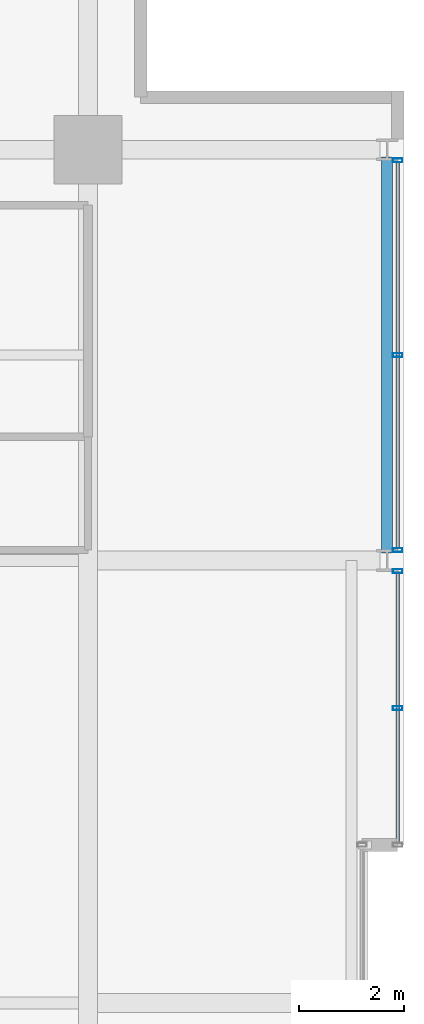
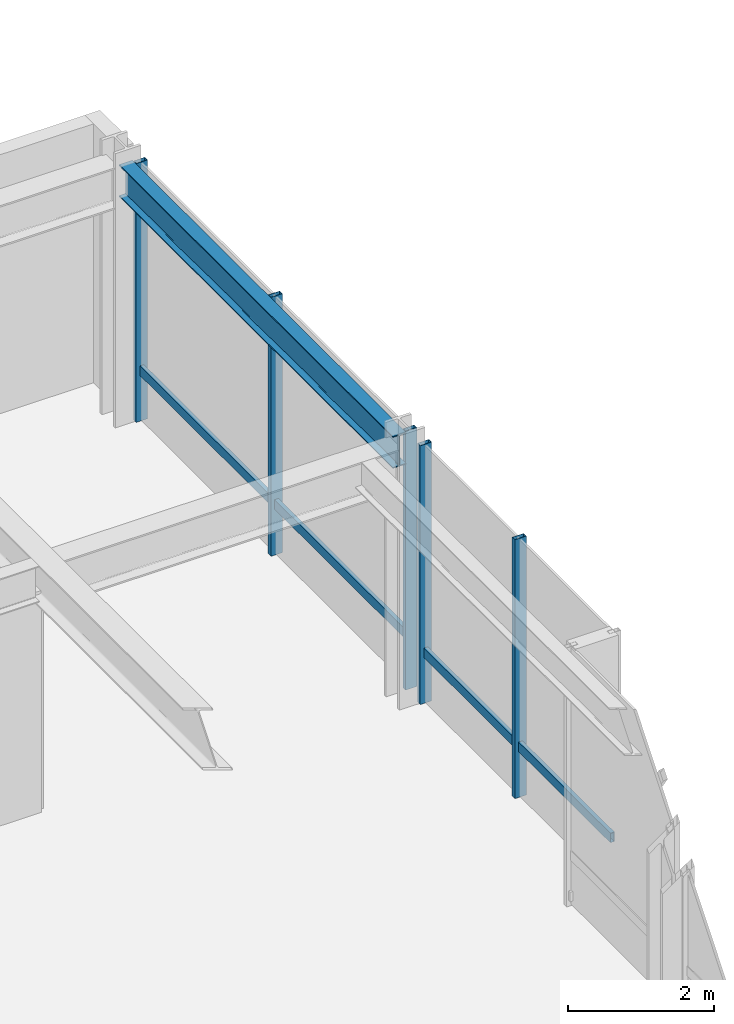
# One storey, part 24 of 32: 7 members, 1 beam, 2 elements without a shape of their own.
"""IFC4 building model written with IfcOpenShell, lengths in metres."""

import ifcopenshell
import ifcopenshell.guid

model = None  # the IFC model being written
_history = None  # IfcOwnerHistory: only IFC2X3 demands one
_inside = {}  # id of a spatial element -> (the spatial element, [elements in it])
_under = {}  # id of a project, library or spatial element -> (it, [spatial elements below it])
_declared = {}  # id of a project -> (the project, [libraries it declares])
_typed = {}  # id of a type object -> (the type object, [elements of that type])
_made_of = {}  # id of a material, layer set ... -> (it, [elements and type objects made of it])


def new_model(schema):
    """Start an empty IFC model of exactly this schema.

    Asked for "IFC4X3", IfcOpenShell would pick the latest addendum, in which some entities
    have other attributes; the version numbers below select the first issue.
    IFC2X3 requires an IfcOwnerHistory on every rooted entity: one is made here for all.
    """
    global model, _history
    if schema == "IFC4X3":
        model = ifcopenshell.file(schema_version=(4, 3, 0, 0))
    else:
        model = ifcopenshell.file(schema=schema)
    _inside.clear()
    _under.clear()
    _declared.clear()
    _typed.clear()
    _made_of.clear()
    _history = None
    if model.schema == "IFC2X3":
        org = make("IfcOrganization", Name="unknown")
        user = make(
            "IfcPersonAndOrganization",
            ThePerson=make("IfcPerson", FamilyName="unknown"),
            TheOrganization=org,
        )
        app = make(
            "IfcApplication",
            ApplicationDeveloper=org,
            Version="unknown",
            ApplicationFullName="unknown",
            ApplicationIdentifier="unknown",
        )
        _history = make(
            "IfcOwnerHistory",
            OwningUser=user,
            OwningApplication=app,
            ChangeAction="ADDED",
            CreationDate=0,
        )
    return model


def make(cls, **values):
    """One entity of the class cls with the attributes given. An attribute that is None is left unset."""
    return model.create_entity(
        cls, **{name: value for name, value in values.items() if value is not None}
    )


def rooted(cls, **values):
    """An entity with a GlobalId (a new one), such as an element, a storey or a relation."""
    return make(cls, GlobalId=ifcopenshell.guid.new(), OwnerHistory=_history, **values)


def si_unit(unit_type, name, prefix=None):
    """IfcSIUnit, for example si_unit("LENGTHUNIT", "METRE", prefix="MILLI")."""
    return make("IfcSIUnit", UnitType=unit_type, Prefix=prefix, Name=name)


def assignment(units):
    """IfcUnitAssignment: the units of a project."""
    return None if units is None else make("IfcUnitAssignment", Units=units)


def point(xyz):
    """IfcCartesianPoint."""
    return None if xyz is None else make("IfcCartesianPoint", Coordinates=xyz)


def direction(xyz):
    """IfcDirection."""
    return None if xyz is None else make("IfcDirection", DirectionRatios=xyz)


def frame(location, z_axis=None, x_axis=None):
    """IfcAxis2Placement3D, a coordinate frame: its origin and axes. An axis left out is left unset."""
    return make(
        "IfcAxis2Placement3D",
        Location=point(location),
        Axis=direction(z_axis),
        RefDirection=direction(x_axis),
    )


def frame_2d(location, x_axis=None):
    """IfcAxis2Placement2D, a coordinate frame in the plane: its origin and x axis."""
    return make(
        "IfcAxis2Placement2D", Location=point(location), RefDirection=direction(x_axis)
    )


def origin():
    """The frame at (0, 0, 0) with its axes left unset."""
    return frame((0.0, 0.0, 0.0))


def origin_2d():
    """The frame at (0, 0) in the plane with its x axis left unset."""
    return frame_2d((0.0, 0.0))


def place(relative_to, where):
    """IfcLocalPlacement: puts the frame where relative to a parent placement (None: the world)."""
    return make(
        "IfcLocalPlacement", PlacementRelTo=relative_to, RelativePlacement=where
    )


def context(
    kind, dimensions, precision=None, world=None, true_north=None, identifier=None
):
    """IfcGeometricRepresentationContext, for example the 3D "Model" context."""
    return make(
        "IfcGeometricRepresentationContext",
        ContextIdentifier=identifier,
        ContextType=kind,
        CoordinateSpaceDimension=dimensions,
        Precision=precision,
        WorldCoordinateSystem=world,
        TrueNorth=true_north,
    )


def subcontext(parent, identifier, kind, view, scale=None):
    """IfcGeometricRepresentationSubContext, for example "Body" below "Model"."""
    return make(
        "IfcGeometricRepresentationSubContext",
        ContextIdentifier=identifier,
        ContextType=kind,
        ParentContext=parent,
        TargetScale=scale,
        TargetView=view,
    )


def project(units=None, contexts=None):
    """IfcProject with its units and contexts."""
    return rooted(
        "IfcProject",
        Name="project",
        RepresentationContexts=contexts,
        UnitsInContext=assignment(units),
    )


def spatial(cls, under=None, at=None, **own):
    """A site, building, storey or space (cls), placed at a placement, below another one or the project."""
    s = rooted(cls, ObjectPlacement=at, **own)
    if under is not None:
        _under.setdefault(under.id(), (under, []))[1].append(s)
    return s


def profile(cls, at=None, kind="AREA", **sizes):
    """A parametric profile (cls). Its sizes go by their IFC names, for example OverallWidth=200.0."""
    return make(cls, ProfileType=kind, Position=at, **sizes)


def hollow_rectangle(**sizes):
    """IfcRectangleHollowProfileDef."""
    return profile("IfcRectangleHollowProfileDef", **sizes)


def i_section(**sizes):
    """IfcIShapeProfileDef."""
    return profile("IfcIShapeProfileDef", **sizes)


def extrude(swept, where, along, depth):
    """IfcExtrudedAreaSolid: the profile swept, set in the frame where, extruded along a direction by depth."""
    return make(
        "IfcExtrudedAreaSolid",
        SweptArea=swept,
        Position=where,
        ExtrudedDirection=direction(along),
        Depth=depth,
    )


def shape(context_of_items, identifier, shape_type, items):
    """IfcShapeRepresentation: the items that make up one representation, for example the "Body"."""
    return make(
        "IfcShapeRepresentation",
        ContextOfItems=context_of_items,
        RepresentationIdentifier=identifier,
        RepresentationType=shape_type,
        Items=items,
    )


def material(Name=None, Category=None):
    """IfcMaterial."""
    return make("IfcMaterial", Name=Name, Category=Category)


def layer(
    of_material, thickness, ventilated=None, Name=None, Category=None, Priority=None
):
    """IfcMaterialLayer: one layer of a wall or slab, of a material (None: an air gap)."""
    return make(
        "IfcMaterialLayer",
        Material=of_material,
        LayerThickness=thickness,
        IsVentilated=ventilated,
        Name=Name,
        Category=Category,
        Priority=Priority,
    )


def layer_set(layers, Name=None):
    """IfcMaterialLayerSet."""
    return make("IfcMaterialLayerSet", MaterialLayers=layers, LayerSetName=Name)


def material_profile(
    of_material, cross_section, Name=None, Category=None, Priority=None
):
    """IfcMaterialProfile: a cross section and its material."""
    return make(
        "IfcMaterialProfile",
        Name=Name,
        Material=of_material,
        Profile=cross_section,
        Priority=Priority,
        Category=Category,
    )


def profile_set(profiles, Name=None, composite=None):
    """IfcMaterialProfileSet."""
    return make(
        "IfcMaterialProfileSet",
        Name=Name,
        MaterialProfiles=profiles,
        CompositeProfile=composite,
    )


def made_of(thing, what):
    """Note that an element or type object is made of a material, layer set ...; save() writes the relation."""
    if what is not None:
        _made_of.setdefault(what.id(), (what, []))[1].append(thing)
    return thing


def type_object(cls, material=None, **own):
    """A type object (cls), such as IfcWallType, which elements share."""
    return made_of(rooted(cls, **own), material)


def element(
    cls,
    number,
    at=None,
    inside=None,
    cuts=None,
    type_object=None,
    material=None,
    context=None,
    identifier="Body",
    shape_type=None,
    held_by="IfcProductDefinitionShape",
    body=None,
    shapes=None,
    **own,
):
    """One element of the class cls, such as IfcWall. Its Tag is "e" and its number.

    at: its placement. inside: the storey or other place that contains it. cuts: it is an
    opening in that element (IfcRelVoidsElement). A single representation is given by context,
    identifier, shape_type and body (its items); several are given by shapes. held_by: the class
    of the entity that holds the representations. save() writes the other relations.
    """
    e = rooted(cls, Tag="e%d" % number, ObjectPlacement=at, **own)
    if body is not None:
        shapes = [shape(context, identifier, shape_type, body)]
    if shapes is not None:
        e.Representation = make(held_by, Representations=shapes)
    if inside is not None:
        _inside.setdefault(inside.id(), (inside, []))[1].append(e)
    if cuts is not None:
        rooted(
            "IfcRelVoidsElement", RelatingBuildingElement=cuts, RelatedOpeningElement=e
        )
    if type_object is not None:
        _typed.setdefault(type_object.id(), (type_object, []))[1].append(e)
    return made_of(e, material)


def aggregate(whole, parts):
    """IfcRelAggregates: a whole, such as a stair, and the parts it consists of."""
    return rooted("IfcRelAggregates", RelatingObject=whole, RelatedObjects=parts)


def save(model, path):
    """Write the relations noted so far, then the file.

    IfcRelAggregates (storeys below a building ...), IfcRelContainedInSpatialStructure (elements
    in a storey), IfcRelDefinesByType, IfcRelAssociatesMaterial and IfcRelDeclares: one each for
    every whole, place, type object, material and project.
    """
    for whole, parts in _under.values():
        aggregate(whole, parts)
    for where, things in _inside.values():
        rooted(
            "IfcRelContainedInSpatialStructure",
            RelatedElements=things,
            RelatingStructure=where,
        )
    for kind, things in _typed.values():
        rooted("IfcRelDefinesByType", RelatedObjects=things, RelatingType=kind)
    for what, things in _made_of.values():
        rooted("IfcRelAssociatesMaterial", RelatedObjects=things, RelatingMaterial=what)
    for by, libraries in _declared.values():
        rooted("IfcRelDeclares", RelatingContext=by, RelatedDefinitions=libraries)
    model.write(path)


model = new_model("IFC4")

# Units and contexts
model_context = context("Model", 3, precision=1e-05, world=origin(), true_north=direction((0.0, 1.0)))
body_context = subcontext(model_context, "Body", "Model", "MODEL_VIEW")
ifc_project = project(units=[si_unit("LENGTHUNIT", "METRE"), si_unit("AREAUNIT", "SQUARE_METRE"), si_unit("VOLUMEUNIT", "CUBIC_METRE"), si_unit("PLANEANGLEUNIT", "RADIAN"), si_unit("MASSUNIT", "GRAM", prefix="KILO")], contexts=[model_context])

# Site, building, storey
site_placement = place(None, origin())
site = spatial("IfcSite", under=ifc_project, at=site_placement, CompositionType="ELEMENT")
building_placement = place(site_placement, origin())
building = spatial("IfcBuilding", under=site, at=building_placement, Name="Drelvath Grand Hotel", CompositionType="ELEMENT")
storey_placement = place(building_placement, frame((0.0, 0.0, 145.800048828125)))
storey = spatial("IfcBuildingStorey", under=building, at=storey_placement, Name="L37", CompositionType="ELEMENT", Elevation=145.800048828125)

# Curtain wall, member
ifc_material_1 = material(Name="Brushed Pale-Silver Anodised Aluminium Frame", Category="aluminium")
ifc_layer = layer(ifc_material_1, 0.199951171875)
ifc_layer_set = layer_set([ifc_layer], Name="Brushed Pale-Silver Anodised Aluminium Frame")
curtain_wall_type = type_object("IfcCurtainWallType", Name="Stick Curtain Wall CW-04 Brushed Silver Upper-Mid", PredefinedType="NOTDEFINED", material=ifc_layer_set)
curtain_wall_1_placement = place(storey_placement, origin())
curtain_wall_1 = element("IfcCurtainWall", 1, at=curtain_wall_1_placement, inside=storey, type_object=curtain_wall_type, Name="L37 CW-04 Curtain Wall CW04-L37-EN1", PredefinedType="NOTDEFINED")
ifc_material_profile_1 = material_profile(ifc_material_1, hollow_rectangle(XDim=0.06494140625, YDim=0.159912109375, WallThickness=0.00390625, at=origin_2d()), Name="HSS160X65X4")
ifc_profile_set_1 = profile_set([ifc_material_profile_1], Name="Brushed Pale-Silver Anodised Aluminium Frame")
member_type_1 = type_object("IfcMemberType", Name="Curtain Wall Horizontal Transom CW-04 HSS160X65X4", PredefinedType="USERDEFINED", material=ifc_profile_set_1)
member_1_placement = place(storey_placement, frame((22.080078125, 35.159912109375, 0.849853515625), z_axis=(0.0, -1.0, 0.0), x_axis=(1.0, 0.0, 0.0)))
member_1 = element("IfcMember", 2, at=member_1_placement, type_object=member_type_1, Name="CW04-L37-EN1 Sill Transom", ObjectType="TRANSOM", PredefinedType="USERDEFINED", context=body_context, shape_type="SweptSolid", body=[
    extrude(hollow_rectangle(XDim=0.06494140625, YDim=0.159912109375, WallThickness=0.00390625, at=origin_2d()), origin(), (0.0, 0.0, 1.0), 5.119873046875),
])

curtain_wall_2_placement = place(storey_placement, origin())
curtain_wall_2 = element("IfcCurtainWall", 3, at=curtain_wall_2_placement, inside=storey, type_object=curtain_wall_type, Name="L37 CW-04 Curtain Wall CW04-L37-EN2", PredefinedType="NOTDEFINED")
member_2_placement = place(storey_placement, frame((22.080078125, 42.9599609375, 0.849853515625), z_axis=(0.0, -1.0, 0.0), x_axis=(1.0, 0.0, 0.0)))
member_2 = element("IfcMember", 4, at=member_2_placement, type_object=member_type_1, Name="CW04-L37-EN2 Sill Transom", ObjectType="TRANSOM", PredefinedType="USERDEFINED", context=body_context, shape_type="SweptSolid", body=[
    extrude(hollow_rectangle(XDim=0.06494140625, YDim=0.159912109375, WallThickness=0.00390625, at=origin_2d()), origin(), (0.0, 0.0, 1.0), 7.320068359375),
])

# Member
ifc_material_profile_2 = material_profile(ifc_material_1, hollow_rectangle(XDim=0.074951171875, YDim=0.179931640625, WallThickness=0.0048828125, at=origin_2d()), Name="HSS180X75X5")
ifc_profile_set_2 = profile_set([ifc_material_profile_2], Name="Brushed Pale-Silver Anodised Aluminium Frame")
member_type_2 = type_object("IfcMemberType", Name="Curtain Wall Vertical Mullion CW-04 HSS180X75X5", PredefinedType="MULLION", material=ifc_profile_set_2)
member_3_placement = place(storey_placement, frame((22.080078125, 35.199951171875, 0.0), z_axis=(0.0, 0.0, 1.0), x_axis=(0.0, 1.0, 0.0)))
member_3 = element("IfcMember", 5, at=member_3_placement, type_object=member_type_2, Name="CW04-L37-EN1 Mullion 1", PredefinedType="MULLION", context=body_context, shape_type="SweptSolid", body=[
    extrude(hollow_rectangle(XDim=0.074951171875, YDim=0.179931640625, WallThickness=0.0048828125, at=origin_2d()), origin(), (0.0, 0.0, 1.0), 4.33984375),
])

member_4_placement = place(storey_placement, frame((22.080078125, 32.60009765625, 0.0), z_axis=(0.0, 0.0, 1.0), x_axis=(0.0, 1.0, 0.0)))
member_4 = element("IfcMember", 6, at=member_4_placement, type_object=member_type_2, Name="CW04-L37-EN1 Mullion 2", PredefinedType="MULLION", context=body_context, shape_type="SweptSolid", body=[
    extrude(hollow_rectangle(XDim=0.074951171875, YDim=0.179931640625, WallThickness=0.0048828125, at=origin_2d()), origin(), (0.0, 0.0, 1.0), 4.33984375),
])

aggregate(curtain_wall_1, [member_3, member_4, member_1])

member_5_placement = place(storey_placement, frame((22.080078125, 43.0, 0.0), z_axis=(0.0, 0.0, 1.0), x_axis=(0.0, 1.0, 0.0)))
member_5 = element("IfcMember", 7, at=member_5_placement, type_object=member_type_2, Name="CW04-L37-EN2 Mullion 1", PredefinedType="MULLION", context=body_context, shape_type="SweptSolid", body=[
    extrude(hollow_rectangle(XDim=0.074951171875, YDim=0.179931640625, WallThickness=0.0048828125, at=origin_2d()), origin(), (0.0, 0.0, 1.0), 4.33984375),
])

member_6_placement = place(storey_placement, frame((22.080078125, 39.300048828125, 0.0), z_axis=(0.0, 0.0, 1.0), x_axis=(0.0, 1.0, 0.0)))
member_6 = element("IfcMember", 8, at=member_6_placement, type_object=member_type_2, Name="CW04-L37-EN2 Mullion 2", PredefinedType="MULLION", context=body_context, shape_type="SweptSolid", body=[
    extrude(hollow_rectangle(XDim=0.074951171875, YDim=0.179931640625, WallThickness=0.0048828125, at=origin_2d()), origin(), (0.0, 0.0, 1.0), 4.33984375),
])

member_7_placement = place(storey_placement, frame((22.080078125, 35.60009765625, 0.0), z_axis=(0.0, 0.0, 1.0), x_axis=(0.0, 1.0, 0.0)))
member_7 = element("IfcMember", 9, at=member_7_placement, type_object=member_type_2, Name="CW04-L37-EN2 Mullion 3", PredefinedType="MULLION", context=body_context, shape_type="SweptSolid", body=[
    extrude(hollow_rectangle(XDim=0.074951171875, YDim=0.179931640625, WallThickness=0.0048828125, at=origin_2d()), origin(), (0.0, 0.0, 1.0), 4.33984375),
])

aggregate(curtain_wall_2, [member_5, member_6, member_7, member_2])

# Beam
ifc_material_2 = material(Name="Steel ASTM A992 Gr 50", Category="steel")
ifc_material_profile_3 = material_profile(ifc_material_2, i_section(OverallWidth=0.210205078125, OverallDepth=0.53662109375, WebThickness=0.010986328125, FlangeThickness=0.017333984375, FilletRadius=0.01806640625, at=origin_2d()), Name="W21X68")
ifc_profile_set_3 = profile_set([ifc_material_profile_3], Name="Steel ASTM A992 Gr 50")
beam_type = type_object("IfcBeamType", Name="Perimeter Spandrel Beam W21X68", PredefinedType="SPANDREL", material=ifc_profile_set_3)
beam_placement = place(storey_placement, frame((21.8798828125, 35.5400390625, 4.071533203125), z_axis=(0.0, 1.0, 0.0), x_axis=(-1.0, 0.0, 0.0)))
element("IfcBeam", 10, at=beam_placement, inside=storey, type_object=beam_type, Name="L37 Spandrel East N", PredefinedType="SPANDREL", context=body_context, shape_type="SweptSolid", body=[
    extrude(i_section(OverallWidth=0.210205078125, OverallDepth=0.53662109375, WebThickness=0.010986328125, FlangeThickness=0.017333984375, FilletRadius=0.01806640625, at=origin_2d()), origin(), (0.0, 0.0, 1.0), 7.52001953125),
])

save(model, "model.ifc")
